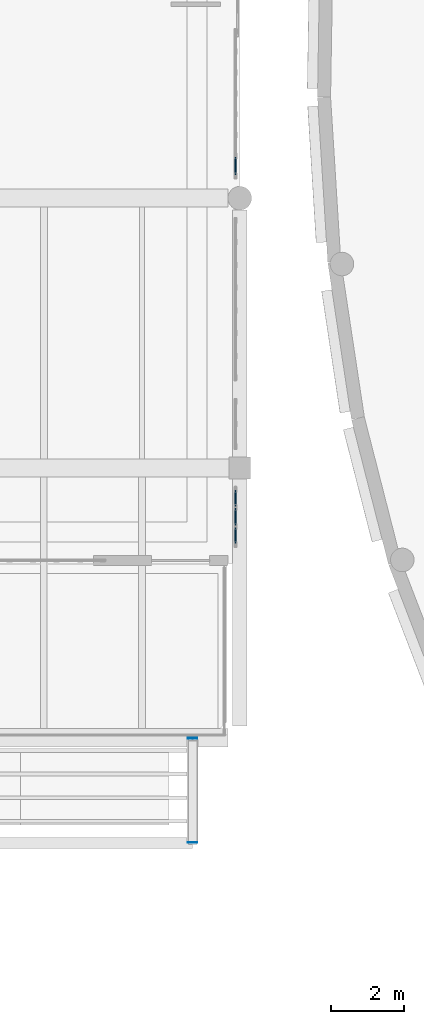
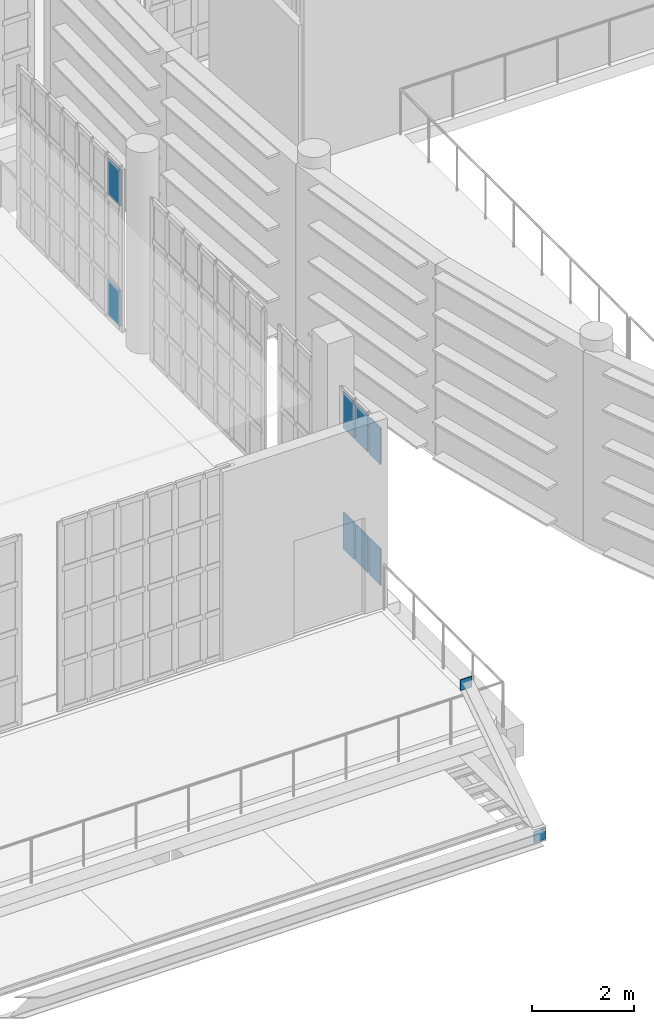
# One storey, part 82 of 104: 10 plates, 2 elements without a shape of their own.
"""IFC4 building model written with IfcOpenShell, lengths in metres."""

from ifc_helpers import new_model, si_unit, direction, frame, origin, origin_2d, place, context, subcontext, project, spatial, rectangle, extrude, material, layer, layer_set, type_object, element, aggregate, save


model = new_model("IFC4")

# Units and contexts
model_context = context("Model", 3, precision=1e-05, world=origin(), true_north=direction((0.0, 1.0)))
body_context = subcontext(model_context, "Body", "Model", "MODEL_VIEW")
ifc_project = project(units=[si_unit("LENGTHUNIT", "METRE"), si_unit("AREAUNIT", "SQUARE_METRE"), si_unit("VOLUMEUNIT", "CUBIC_METRE"), si_unit("PLANEANGLEUNIT", "RADIAN"), si_unit("MASSUNIT", "GRAM", prefix="KILO")], contexts=[model_context])

# Site, building, storey
site_placement = place(None, origin())
site = spatial("IfcSite", under=ifc_project, at=site_placement, CompositionType="ELEMENT")
building_placement = place(site_placement, origin())
building = spatial("IfcBuilding", under=site, at=building_placement, Name="Kaelora Sail Theatre", CompositionType="ELEMENT")
storey_placement = place(building_placement, frame((0.0, 0.0, 5.39990234375)))
storey = spatial("IfcBuildingStorey", under=building, at=storey_placement, Name="L01", CompositionType="ELEMENT", Elevation=5.39990234375)

# Curtain wall, plates
ifc_material_1 = material(Name="Anodised aluminium and solar-control low-E IGU", Category="aluminium")
curtain_wall_type = type_object("IfcCurtainWallType", Name="ARC-CW-CW-FOY2", PredefinedType="NOTDEFINED", material=ifc_material_1)
curtain_wall_1_placement = place(storey_placement, origin())
curtain_wall_1 = element("IfcCurtainWall", 1, at=curtain_wall_1_placement, inside=storey, type_object=curtain_wall_type, Name="West Interstitial Foyer East Glazed Return L01-01", PredefinedType="NOTDEFINED")
ifc_material_2 = material(Name="Solar-control laminated low-E glass", Category="glass")
ifc_layer_1 = layer(ifc_material_2, 0.031982421875)
ifc_layer_set_1 = layer_set([ifc_layer_1], Name="Solar-control laminated low-E glass")
plate_type_1 = type_object("IfcPlateType", Name="ARC-CW-PNL", PredefinedType="CURTAIN_PANEL", material=ifc_layer_set_1)
plate_1_placement = place(storey_placement, frame((74.280029296875, 44.2783203125, 0.070068359375), z_axis=(0.0, 0.0, 1.0), x_axis=(0.0, 1.0, 0.0)))
plate_1 = element("IfcPlate", 2, at=plate_1_placement, type_object=plate_type_1, Name="CW-FOY2 panel 1.1", PredefinedType="CURTAIN_PANEL", context=body_context, shape_type="SweptSolid", body=[
    extrude(rectangle(XDim=0.436767578125, YDim=0.031982421875, at=origin_2d()), origin(), (0.0, 0.0, 1.0), 0.86669921875),
])
plate_2_placement = place(storey_placement, frame((74.280029296875, 44.2783203125, 2.950439453125), z_axis=(0.0, 0.0, 1.0), x_axis=(0.0, 1.0, 0.0)))
plate_2 = element("IfcPlate", 3, at=plate_2_placement, type_object=plate_type_1, Name="CW-FOY2 panel 1.4", PredefinedType="CURTAIN_PANEL", context=body_context, shape_type="SweptSolid", body=[
    extrude(rectangle(XDim=0.436767578125, YDim=0.031982421875, at=origin_2d()), origin(), (0.0, 0.0, 1.0), 0.86669921875),
])
plate_3_placement = place(storey_placement, frame((74.280029296875, 44.7900390625, 0.070068359375), z_axis=(0.0, 0.0, 1.0), x_axis=(0.0, 1.0, 0.0)))
plate_3 = element("IfcPlate", 4, at=plate_3_placement, type_object=plate_type_1, Name="CW-FOY2 panel 2.1", PredefinedType="CURTAIN_PANEL", context=body_context, shape_type="SweptSolid", body=[
    extrude(rectangle(XDim=0.466552734375, YDim=0.031982421875, at=origin_2d()), origin(), (0.0, 0.0, 1.0), 0.86669921875),
])
plate_4_placement = place(storey_placement, frame((74.280029296875, 44.7900390625, 2.950439453125), z_axis=(0.0, 0.0, 1.0), x_axis=(0.0, 1.0, 0.0)))
plate_4 = element("IfcPlate", 5, at=plate_4_placement, type_object=plate_type_1, Name="CW-FOY2 panel 2.4", PredefinedType="CURTAIN_PANEL", context=body_context, shape_type="SweptSolid", body=[
    extrude(rectangle(XDim=0.466552734375, YDim=0.031982421875, at=origin_2d()), origin(), (0.0, 0.0, 1.0), 0.86669921875),
])
plate_5_placement = place(storey_placement, frame((74.280029296875, 45.3017578125, 0.070068359375), z_axis=(0.0, 0.0, 1.0), x_axis=(0.0, 1.0, 0.0)))
plate_5 = element("IfcPlate", 6, at=plate_5_placement, type_object=plate_type_1, Name="CW-FOY2 panel 3.1", PredefinedType="CURTAIN_PANEL", context=body_context, shape_type="SweptSolid", body=[
    extrude(rectangle(XDim=0.436767578125, YDim=0.031982421875, at=origin_2d()), origin(), (0.0, 0.0, 1.0), 0.86669921875),
])
plate_6_placement = place(storey_placement, frame((74.280029296875, 45.3017578125, 2.950439453125), z_axis=(0.0, 0.0, 1.0), x_axis=(0.0, 1.0, 0.0)))
plate_6 = element("IfcPlate", 7, at=plate_6_placement, type_object=plate_type_1, Name="CW-FOY2 panel 3.4", PredefinedType="CURTAIN_PANEL", context=body_context, shape_type="SweptSolid", body=[
    extrude(rectangle(XDim=0.436767578125, YDim=0.031982421875, at=origin_2d()), origin(), (0.0, 0.0, 1.0), 0.86669921875),
])
aggregate(curtain_wall_1, [plate_1, plate_2, plate_3, plate_4, plate_5, plate_6])

curtain_wall_2_placement = place(storey_placement, origin())
curtain_wall_2 = element("IfcCurtainWall", 8, at=curtain_wall_2_placement, inside=storey, type_object=curtain_wall_type, Name="West Interstitial Foyer East Glazed Return L01-03", PredefinedType="NOTDEFINED")
plate_7_placement = place(storey_placement, frame((74.280029296875, 54.46826171875, 0.070068359375), z_axis=(0.0, 0.0, 1.0), x_axis=(0.0, 1.0, 0.0)))
plate_7 = element("IfcPlate", 9, at=plate_7_placement, type_object=plate_type_1, Name="CW-FOY2 panel 1.1", PredefinedType="CURTAIN_PANEL", context=body_context, shape_type="SweptSolid", body=[
    extrude(rectangle(XDim=0.486328125, YDim=0.031982421875, at=origin_2d()), origin(), (0.0, 0.0, 1.0), 0.86669921875),
])
plate_8_placement = place(storey_placement, frame((74.280029296875, 54.46826171875, 2.950439453125), z_axis=(0.0, 0.0, 1.0), x_axis=(0.0, 1.0, 0.0)))
plate_8 = element("IfcPlate", 10, at=plate_8_placement, type_object=plate_type_1, Name="CW-FOY2 panel 1.4", PredefinedType="CURTAIN_PANEL", context=body_context, shape_type="SweptSolid", body=[
    extrude(rectangle(XDim=0.486328125, YDim=0.031982421875, at=origin_2d()), origin(), (0.0, 0.0, 1.0), 0.86669921875),
])
aggregate(curtain_wall_2, [plate_7, plate_8])

# Plates
ifc_material_3 = material(Name="Steel S355", Category="steel")
ifc_layer_2 = layer(ifc_material_3, 0.02001953125)
ifc_layer_set_2 = layer_set([ifc_layer_2], Name="Steel S355")
plate_type_2 = type_object("IfcPlateType", Name="STR-PL-EP-20", PredefinedType="SHEET", material=ifc_layer_set_2)
for number, where, z_axis, x_axis, name in (
    (11, (73.10009765625, 38.6875, 1.27490234375), (0.0, 0.0, 1.0), (0.0, -1.0, 0.0), "Entrance canopy inclined hanger tie E end cap plate A"),
    (12, (73.10009765625, 35.8125, -0.60498046875), (0.0, 0.0, 1.0), (0.0, -1.0, 0.0), "Entrance canopy inclined hanger tie E end cap plate B"),
):
    element("IfcPlate", number, at=place(storey_placement, frame(where, z_axis=z_axis, x_axis=x_axis)), inside=storey, type_object=plate_type_2, Name=name, PredefinedType="SHEET", context=body_context, shape_type="SweptSolid", body=[
        extrude(rectangle(XDim=0.02001953125, YDim=0.260009765625, at=origin_2d()), origin(), (0.0, 0.0, 1.0), 0.260009765625),
    ])

save(model, "model.ifc")
